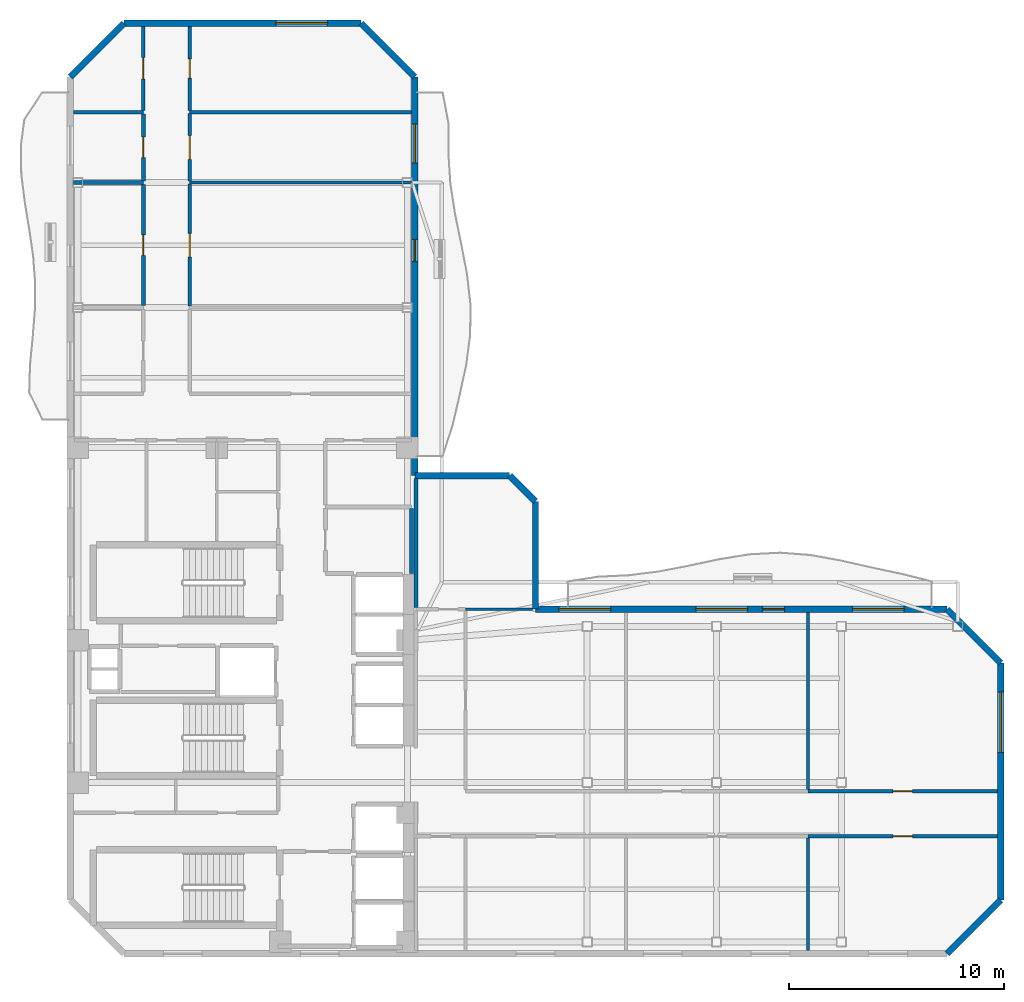
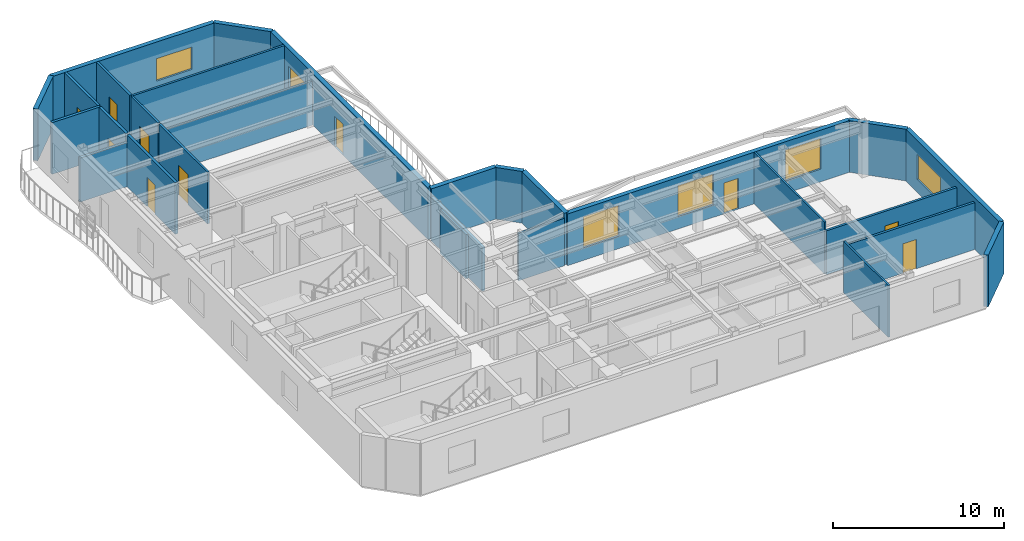
# One storey, part 5 of 9: 28 walls, 10 doors, 6 windows, 16 openings.
"""IFC4 building model written with IfcOpenShell, lengths in metres."""

from ifc_helpers import new_model, si_unit, direction, frame, frame_2d, origin, place, context, subcontext, project, spatial, rectangle, extrude, material, layer, layer_set, type_object, element, fill, save


model = new_model("IFC4")

# Units and contexts
model_context = context("Model", 3, precision=1e-05, world=origin(), true_north=direction((0.0, 1.0)))
body_context = subcontext(model_context, "Body", "Model", "MODEL_VIEW")
ifc_project = project(units=[si_unit("LENGTHUNIT", "METRE"), si_unit("AREAUNIT", "SQUARE_METRE"), si_unit("VOLUMEUNIT", "CUBIC_METRE"), si_unit("PLANEANGLEUNIT", "RADIAN"), si_unit("MASSUNIT", "GRAM", prefix="KILO")], contexts=[model_context])

# Site, building, storey
site_placement = place(None, origin())
site = spatial("IfcSite", under=ifc_project, at=site_placement, CompositionType="ELEMENT")
building_placement = place(site_placement, origin())
building = spatial("IfcBuilding", under=site, at=building_placement, Name="Mawjaban Terraces University", CompositionType="ELEMENT")
storey_placement = place(building_placement, frame((0.0, 0.0, 222.60009765625)))
storey = spatial("IfcBuildingStorey", under=building, at=storey_placement, Name="L54", CompositionType="ELEMENT", Elevation=222.60009765625)

# Walls
ifc_material_1 = material(Name="Acoustic masonry blockwork", Category="masonry")
ifc_layer_1 = layer(ifc_material_1, 0.179931640625)
ifc_layer_set_1 = layer_set([ifc_layer_1], Name="Acoustic masonry blockwork")
wall_type_1 = type_object("IfcWallType", Name="AcousticStudioWall_180", PredefinedType="PARTITIONING", material=ifc_layer_set_1)
wall_1_placement = place(storey_placement, frame((25.39990234375, 35.800048828125, 0.0), z_axis=(0.0, 0.0, 1.0), x_axis=(-1.0, 0.0, 0.0)))
element("IfcWall", 1, at=wall_1_placement, inside=storey, type_object=wall_type_1, Name="L54 Media Workshop 10 Partition 5", PredefinedType="PARTITIONING", context=body_context, shape_type="SweptSolid", body=[
    extrude(rectangle(XDim=3.2548828125, YDim=0.179931640625, at=frame_2d((1.62744140625, 0.0))), origin(), (0.0, 0.0, 1.0), 3.138916015625),
])
wall_2_placement = place(storey_placement, frame((25.39990234375, 39.070068359375, 0.0), z_axis=(0.0, 0.0, 1.0), x_axis=(-1.0, 0.0, 0.0)))
element("IfcWall", 2, at=wall_2_placement, inside=storey, type_object=wall_type_1, Name="L54 Design Studio 12 Partition 6", PredefinedType="PARTITIONING", context=body_context, shape_type="SweptSolid", body=[
    extrude(rectangle(XDim=3.2548828125, YDim=0.179931640625, at=frame_2d((1.62744140625, 0.0))), origin(), (0.0, 0.0, 1.0), 3.68994140625),
])

# Wall, opening, door
wall_3_placement = place(storey_placement, frame((25.39990234375, 35.715087890625, 0.0), z_axis=(0.0, 0.0, 1.0), x_axis=(0.0, -1.0, 0.0)))
wall_3 = element("IfcWall", 3, at=wall_3_placement, inside=storey, type_object=wall_type_1, Name="L54 West Shifted Academic Corridor Partition 33", PredefinedType="PARTITIONING", context=body_context, shape_type="SweptSolid", body=[
    extrude(rectangle(XDim=5.630126953125, YDim=0.179931640625, at=frame_2d((2.81494140625, 0.0))), origin(), (0.0, 0.0, 1.0), 3.68994140625),
])
opening_1_placement = place(wall_3_placement, frame((2.340087890625, 0.0, 0.0)))
opening_1 = element("IfcOpeningElement", 4, at=opening_1_placement, cuts=wall_3, Name="Opening ID-095", PredefinedType="OPENING", context=body_context, shape_type="SweptSolid", body=[
    extrude(rectangle(XDim=0.949951171875, YDim=2.10009765625, at=frame_2d((0.47509765625, 1.050048828125))), frame((0.0, 0.099853515625, 0.0), z_axis=(0.0, -1.0, 0.0), x_axis=(1.0, 0.0, 0.0)), (0.0, 0.0, 1.0), 0.199951171875),
])
ifc_material_2 = material(Name="Powder-coated steel frame and solid acoustic timber leaf", Category="steel")
door_type_1 = type_object("IfcDoorType", Name="StudioDoor_950x2100", OperationType="NOTDEFINED", PredefinedType="DOOR", material=ifc_material_2)
door_1_placement = place(opening_1_placement, origin())
door_1 = element("IfcDoor", 5, at=door_1_placement, inside=storey, type_object=door_type_1, Name="L54 Media Workshop 10 Door", OperationType="SINGLE_SWING_LEFT", OverallHeight=2.10009765625, OverallWidth=0.949951171875, PredefinedType="DOOR", context=body_context, shape_type="SweptSolid", body=[
    extrude(rectangle(XDim=0.949951171875, YDim=2.10009765625, at=frame_2d((0.47509765625, 1.050048828125))), frame((0.0, 0.02490234375, 0.0), z_axis=(0.0, -1.0, 0.0), x_axis=(1.0, 0.0, 0.0)), (0.0, 0.0, 1.0), 0.050048828125),
])
fill(opening_1, door_1)

wall_4_placement = place(storey_placement, frame((25.39990234375, 38.985107421875, 0.0), z_axis=(0.0, 0.0, 1.0), x_axis=(0.0, -1.0, 0.0)))
wall_4 = element("IfcWall", 6, at=wall_4_placement, inside=storey, type_object=wall_type_1, Name="L54 West Shifted Academic Corridor Partition 34", PredefinedType="PARTITIONING", context=body_context, shape_type="SweptSolid", body=[
    extrude(rectangle(XDim=3.10009765625, YDim=0.179931640625, at=frame_2d((1.550048828125, 0.0))), origin(), (0.0, 0.0, 1.0), 3.68994140625),
])
opening_2_placement = place(wall_4_placement, frame((1.074951171875, 0.0, 0.0)))
opening_2 = element("IfcOpeningElement", 7, at=opening_2_placement, cuts=wall_4, Name="Opening ID-095", PredefinedType="OPENING", context=body_context, shape_type="SweptSolid", body=[
    extrude(rectangle(XDim=0.949951171875, YDim=2.10009765625, at=frame_2d((0.47509765625, 1.050048828125))), frame((0.0, 0.099853515625, 0.0), z_axis=(0.0, -1.0, 0.0), x_axis=(1.0, 0.0, 0.0)), (0.0, 0.0, 1.0), 0.199951171875),
])
door_2_placement = place(opening_2_placement, origin())
door_2 = element("IfcDoor", 8, at=door_2_placement, inside=storey, type_object=door_type_1, Name="L54 Design Studio 12 Door", OperationType="SINGLE_SWING_LEFT", OverallHeight=2.10009765625, OverallWidth=0.949951171875, PredefinedType="DOOR", context=body_context, shape_type="SweptSolid", body=[
    extrude(rectangle(XDim=0.949951171875, YDim=2.10009765625, at=frame_2d((0.47509765625, 1.050048828125))), frame((0.0, 0.02490234375, 0.0), z_axis=(0.0, -1.0, 0.0), x_axis=(1.0, 0.0, 0.0)), (0.0, 0.0, 1.0), 0.050048828125),
])
fill(opening_2, door_2)

# Walls
wall_5_placement = place(storey_placement, frame((37.85009765625, 17.64990234375, 0.0), z_axis=(0.0, 0.0, 1.0), x_axis=(0.0, 1.0, 0.0)))
element("IfcWall", 9, at=wall_5_placement, inside=storey, type_object=wall_type_1, Name="L54 Graduate Research Collaboration Studio Partition 49", PredefinedType="PARTITIONING", context=body_context, shape_type="SweptSolid", body=[
    extrude(rectangle(XDim=3.01513671875, YDim=0.179931640625, at=frame_2d((1.507568359375, 0.0))), origin(), (0.0, 0.0, 1.0), 3.138916015625),
])
wall_6_placement = place(storey_placement, frame((38.050048828125, 22.054931640625, 0.0), z_axis=(0.0, 0.0, 1.0), x_axis=(0.0, -1.0, 0.0)))
element("IfcWall", 10, at=wall_6_placement, inside=storey, type_object=wall_type_1, Name="L54 Terrace Collaborative Study Room Partition 53", PredefinedType="PARTITIONING", context=body_context, shape_type="SweptSolid", body=[
    extrude(rectangle(XDim=5.97998046875, YDim=0.179931640625, at=frame_2d((2.989990234375, 0.0))), origin(), (0.0, 0.0, 1.0), 3.138916015625),
])

# Wall, opening, door
ifc_material_3 = material(Name="Fire-rated gypsum board on steel stud", Category="steel")
ifc_layer_2 = layer(ifc_material_3, 0.159912109375)
ifc_layer_set_2 = layer_set([ifc_layer_2], Name="Fire-rated gypsum board on steel stud")
wall_type_2 = type_object("IfcWallType", Name="CorridorPartition_160", PredefinedType="PARTITIONING", material=ifc_layer_set_2)
wall_7_placement = place(storey_placement, frame((56.25, 5.449951171875, 0.0), z_axis=(0.0, 0.0, 1.0), x_axis=(1.0, 0.0, 0.0)))
wall_7 = element("IfcWall", 11, at=wall_7_placement, inside=storey, type_object=wall_type_2, Name="L54 South Shifted Academic Corridor Partition 28", PredefinedType="PARTITIONING", context=body_context, shape_type="SweptSolid", body=[
    extrude(rectangle(XDim=8.804931640625, YDim=0.159912109375, at=frame_2d((4.40234375, 0.0))), origin(), (0.0, 0.0, 1.0), 3.343017578125),
])
opening_3_placement = place(wall_7_placement, frame((3.952880859375, 0.0, 0.0)))
opening_3 = element("IfcOpeningElement", 12, at=opening_3_placement, cuts=wall_7, Name="Opening ID-090", PredefinedType="OPENING", context=body_context, shape_type="SweptSolid", body=[
    extrude(rectangle(XDim=0.89990234375, YDim=2.10009765625, at=frame_2d((0.449951171875, 1.050048828125))), frame((0.0, 0.08984375, 0.0), z_axis=(0.0, -1.0, 0.0), x_axis=(1.0, 0.0, 0.0)), (0.0, 0.0, 1.0), 0.179931640625),
])
door_type_2 = type_object("IfcDoorType", Name="OfficeDoor_900x2100", OperationType="NOTDEFINED", PredefinedType="DOOR", material=ifc_material_2)
door_3_placement = place(opening_3_placement, origin())
door_3 = element("IfcDoor", 13, at=door_3_placement, inside=storey, type_object=door_type_2, Name="L54 Departmental Office 6 Door", OperationType="SINGLE_SWING_LEFT", OverallHeight=2.10009765625, OverallWidth=0.89990234375, PredefinedType="DOOR", context=body_context, shape_type="SweptSolid", body=[
    extrude(rectangle(XDim=0.89990234375, YDim=2.10009765625, at=frame_2d((0.449951171875, 1.050048828125))), frame((0.0, 0.02490234375, 0.0), z_axis=(0.0, -1.0, 0.0), x_axis=(1.0, 0.0, 0.0)), (0.0, 0.0, 1.0), 0.050048828125),
])
fill(opening_3, door_3)

wall_8_placement = place(storey_placement, frame((65.054931640625, 7.550048828125, 0.0), z_axis=(0.0, 0.0, 1.0), x_axis=(-1.0, 0.0, 0.0)))
wall_8 = element("IfcWall", 14, at=wall_8_placement, inside=storey, type_object=wall_type_2, Name="L54 South Shifted Academic Corridor Partition 30", PredefinedType="PARTITIONING", context=body_context, shape_type="SweptSolid", body=[
    extrude(rectangle(XDim=8.804931640625, YDim=0.159912109375, at=frame_2d((4.40234375, 0.0))), origin(), (0.0, 0.0, 1.0), 3.138916015625),
])
opening_4_placement = place(wall_8_placement, frame((3.952880859375, 0.0, 0.0)))
opening_4 = element("IfcOpeningElement", 15, at=opening_4_placement, cuts=wall_8, Name="Opening ID-090", PredefinedType="OPENING", context=body_context, shape_type="SweptSolid", body=[
    extrude(rectangle(XDim=0.89990234375, YDim=2.10009765625, at=frame_2d((0.449951171875, 1.050048828125))), frame((0.0, 0.08984375, 0.0), z_axis=(0.0, -1.0, 0.0), x_axis=(1.0, 0.0, 0.0)), (0.0, 0.0, 1.0), 0.179931640625),
])
door_4_placement = place(opening_4_placement, origin())
door_4 = element("IfcDoor", 16, at=door_4_placement, inside=storey, type_object=door_type_2, Name="L54 Faculty Office 7 Door", OperationType="SINGLE_SWING_RIGHT", OverallHeight=2.10009765625, OverallWidth=0.89990234375, PredefinedType="DOOR", context=body_context, shape_type="SweptSolid", body=[
    extrude(rectangle(XDim=0.89990234375, YDim=2.10009765625, at=frame_2d((0.449951171875, 1.050048828125))), frame((0.0, 0.02490234375, 0.0), z_axis=(0.0, -1.0, 0.0), x_axis=(1.0, 0.0, 0.0)), (0.0, 0.0, 1.0), 0.050048828125),
])
fill(opening_4, door_4)

wall_9_placement = place(storey_placement, frame((25.39990234375, 43.054931640625, 0.0), z_axis=(0.0, 0.0, 1.0), x_axis=(0.0, -1.0, 0.0)))
wall_9 = element("IfcWall", 17, at=wall_9_placement, inside=storey, type_object=wall_type_2, Name="L54 West Shifted Academic Corridor Partition 35", PredefinedType="PARTITIONING", context=body_context, shape_type="SweptSolid", body=[
    extrude(rectangle(XDim=3.89990234375, YDim=0.159912109375, at=frame_2d((1.949951171875, 0.0))), origin(), (0.0, 0.0, 1.0), 3.68994140625),
])
opening_5_placement = place(wall_9_placement, frame((1.449951171875, 0.0, 0.0)))
opening_5 = element("IfcOpeningElement", 18, at=opening_5_placement, cuts=wall_9, Name="Opening ID-100", PredefinedType="OPENING", context=body_context, shape_type="SweptSolid", body=[
    extrude(rectangle(XDim=1.0, YDim=2.10009765625, at=frame_2d((0.5, 1.050048828125))), frame((0.0, 0.08984375, 0.0), z_axis=(0.0, -1.0, 0.0), x_axis=(1.0, 0.0, 0.0)), (0.0, 0.0, 1.0), 0.179931640625),
])
door_type_3 = type_object("IfcDoorType", Name="ClassroomDoor_1000x2100", OperationType="NOTDEFINED", PredefinedType="DOOR", material=ifc_material_2)
door_5_placement = place(opening_5_placement, origin())
door_5 = element("IfcDoor", 19, at=door_5_placement, inside=storey, type_object=door_type_3, Name="L54 Classroom 14 Door", OperationType="SINGLE_SWING_LEFT", OverallHeight=2.10009765625, OverallWidth=1.0, PredefinedType="DOOR", context=body_context, shape_type="SweptSolid", body=[
    extrude(rectangle(XDim=1.0, YDim=2.10009765625, at=frame_2d((0.5, 1.050048828125))), frame((0.0, 0.02490234375, 0.0), z_axis=(0.0, -1.0, 0.0), x_axis=(1.0, 0.0, 0.0)), (0.0, 0.0, 1.0), 0.050048828125),
])
fill(opening_5, door_5)

wall_10_placement = place(storey_placement, frame((27.550048828125, 39.137939453125, 0.0), z_axis=(0.0, 0.0, 1.0), x_axis=(0.0, 1.0, 0.0)))
wall_10 = element("IfcWall", 20, at=wall_10_placement, inside=storey, type_object=wall_type_2, Name="L54 West Shifted Academic Corridor Partition 41", PredefinedType="PARTITIONING", context=body_context, shape_type="SweptSolid", body=[
    extrude(rectangle(XDim=3.9169921875, YDim=0.159912109375, at=frame_2d((1.95849609375, 0.0))), origin(), (0.0, 0.0, 1.0), 3.68994140625),
])
opening_6_placement = place(wall_10_placement, frame((1.509033203125, 0.0, 0.0)))
opening_6 = element("IfcOpeningElement", 21, at=opening_6_placement, cuts=wall_10, Name="Opening ID-090", PredefinedType="OPENING", context=body_context, shape_type="SweptSolid", body=[
    extrude(rectangle(XDim=0.89990234375, YDim=2.10009765625, at=frame_2d((0.449951171875, 1.050048828125))), frame((0.0, 0.08984375, 0.0), z_axis=(0.0, -1.0, 0.0), x_axis=(1.0, 0.0, 0.0)), (0.0, 0.0, 1.0), 0.179931640625),
])
door_6_placement = place(opening_6_placement, origin())
door_6 = element("IfcDoor", 22, at=door_6_placement, inside=storey, type_object=door_type_2, Name="L54 Academic Counseling Room 15 Door", OperationType="SINGLE_SWING_RIGHT", OverallHeight=2.10009765625, OverallWidth=0.89990234375, PredefinedType="DOOR", context=body_context, shape_type="SweptSolid", body=[
    extrude(rectangle(XDim=0.89990234375, YDim=2.10009765625, at=frame_2d((0.449951171875, 1.050048828125))), frame((0.0, 0.02490234375, 0.0), z_axis=(0.0, -1.0, 0.0), x_axis=(1.0, 0.0, 0.0)), (0.0, 0.0, 1.0), 0.050048828125),
])
fill(opening_6, door_6)

# Wall
ifc_material_4 = material(Name="Insulated terracotta rainscreen on concrete backup C40/50", Category="masonry")
ifc_layer_3 = layer(ifc_material_4, 0.300048828125)
ifc_layer_set_3 = layer_set([ifc_layer_3], Name="Insulated terracotta rainscreen on concrete backup C40/50")
wall_type_3 = type_object("IfcWallType", Name="ExtTerracottaWall_300", PredefinedType="SOLIDWALL", material=ifc_layer_set_3)
wall_11_placement = place(storey_placement, frame((62.699951171875, 0.0, 0.0), z_axis=(0.0, 0.0, 1.0), x_axis=(0.707106781187, 0.707106781187, 0.0)))
element("IfcWall", 23, at=wall_11_placement, inside=storey, type_object=wall_type_3, Name="L54 Exterior Terracotta Wall 2", PredefinedType="SOLIDWALL", context=body_context, shape_type="SweptSolid", body=[
    extrude(rectangle(XDim=3.53564453125, YDim=0.300048828125, at=frame_2d((1.767822265625, 0.0))), origin(), (0.0, 0.0, 1.0), 3.68994140625),
])

# Wall, opening, window
wall_12_placement = place(storey_placement, frame((65.199951171875, 2.5, 0.0), z_axis=(0.0, 0.0, 1.0), x_axis=(0.0, 1.0, 0.0)))
wall_12 = element("IfcWall", 24, at=wall_12_placement, inside=storey, type_object=wall_type_3, Name="L54 Exterior Terracotta Wall 3", PredefinedType="SOLIDWALL", context=body_context, shape_type="SweptSolid", body=[
    extrude(rectangle(XDim=11.0, YDim=0.300048828125, at=frame_2d((5.5, 0.0))), origin(), (0.0, 0.0, 1.0), 3.68994140625),
])
opening_7_placement = place(wall_12_placement, frame((6.85009765625, 0.0, 0.89990234375)))
opening_7 = element("IfcOpeningElement", 25, at=opening_7_placement, cuts=wall_12, Name="Opening W-09", PredefinedType="OPENING", context=body_context, shape_type="SweptSolid", body=[
    extrude(rectangle(XDim=2.800048828125, YDim=1.800048828125, at=frame_2d((1.39990234375, 0.89990234375))), frame((0.0, 0.159912109375, 0.0), z_axis=(0.0, -1.0, 0.0), x_axis=(1.0, 0.0, 0.0)), (0.0, 0.0, 1.0), 0.320068359375),
])
ifc_material_5 = material(Name="Low-E solar-control double glazing in thermally broken aluminium frame", Category="aluminium")
window_type_1 = type_object("IfcWindowType", Name="Win_2800x1800", PartitioningType="SINGLE_PANEL", PredefinedType="WINDOW", material=ifc_material_5)
window_1_placement = place(opening_7_placement, origin())
window_1 = element("IfcWindow", 26, at=window_1_placement, inside=storey, type_object=window_type_1, Name="L54 Facade Window 3.2", OverallHeight=1.800048828125, OverallWidth=2.800048828125, PartitioningType="SINGLE_PANEL", PredefinedType="WINDOW", context=body_context, shape_type="SweptSolid", body=[
    extrude(rectangle(XDim=2.800048828125, YDim=1.800048828125, at=frame_2d((1.39990234375, 0.89990234375))), frame((0.0, 0.030029296875, 0.0), z_axis=(0.0, -1.0, 0.0), x_axis=(1.0, 0.0, 0.0)), (0.0, 0.0, 1.0), 0.06005859375),
])
fill(opening_7, window_1)

# Wall
wall_13_placement = place(storey_placement, frame((65.199951171875, 13.5, 0.0), z_axis=(0.0, 0.0, 1.0), x_axis=(-0.707106781187, 0.707106781187, 0.0)))
element("IfcWall", 27, at=wall_13_placement, inside=storey, type_object=wall_type_3, Name="L54 Exterior Terracotta Wall 4", PredefinedType="SOLIDWALL", context=body_context, shape_type="SweptSolid", body=[
    extrude(rectangle(XDim=3.53564453125, YDim=0.300048828125, at=frame_2d((1.767822265625, 0.0))), origin(), (0.0, 0.0, 1.0), 3.68994140625),
])

# Wall, openings, door, windows
wall_14_placement = place(storey_placement, frame((62.699951171875, 16.0, 0.0), z_axis=(0.0, 0.0, 1.0), x_axis=(-1.0, 0.0, 0.0)))
wall_14 = element("IfcWall", 28, at=wall_14_placement, inside=storey, type_object=wall_type_3, Name="L54 Exterior Terracotta Wall 5", PredefinedType="SOLIDWALL", context=body_context, shape_type="SweptSolid", body=[
    extrude(rectangle(XDim=19.099853515625, YDim=0.300048828125, at=frame_2d((9.5498046875, 0.0))), origin(), (0.0, 0.0, 1.0), 3.68994140625),
])
opening_8_placement = place(wall_14_placement, frame((7.550048828125, 0.0, 0.0)))
opening_8 = element("IfcOpeningElement", 29, at=opening_8_placement, cuts=wall_14, Name="Opening BD-100", PredefinedType="OPENING", context=body_context, shape_type="SweptSolid", body=[
    extrude(rectangle(XDim=1.0, YDim=2.199951171875, at=frame_2d((0.5, 1.10009765625))), frame((0.0, 0.159912109375, 0.0), z_axis=(0.0, -1.0, 0.0), x_axis=(1.0, 0.0, 0.0)), (0.0, 0.0, 1.0), 0.320068359375),
])
opening_9_placement = place(wall_14_placement, frame((1.98291015625, 0.0, 0.89990234375)))
opening_9 = element("IfcOpeningElement", 30, at=opening_9_placement, cuts=wall_14, Name="Opening W-11", PredefinedType="OPENING", context=body_context, shape_type="SweptSolid", body=[
    extrude(rectangle(XDim=2.39990234375, YDim=2.199951171875, at=frame_2d((1.199951171875, 1.10009765625))), frame((0.0, 0.159912109375, 0.0), z_axis=(0.0, -1.0, 0.0), x_axis=(1.0, 0.0, 0.0)), (0.0, 0.0, 1.0), 0.320068359375),
])
opening_10_placement = place(wall_14_placement, frame((9.25, 0.0, 0.89990234375)))
opening_10 = element("IfcOpeningElement", 31, at=opening_10_placement, cuts=wall_14, Name="Opening W-11", PredefinedType="OPENING", context=body_context, shape_type="SweptSolid", body=[
    extrude(rectangle(XDim=2.39990234375, YDim=2.199951171875, at=frame_2d((1.199951171875, 1.10009765625))), frame((0.0, 0.159912109375, 0.0), z_axis=(0.0, -1.0, 0.0), x_axis=(1.0, 0.0, 0.0)), (0.0, 0.0, 1.0), 0.320068359375),
])
opening_11_placement = place(wall_14_placement, frame((15.616943359375, 0.0, 0.89990234375)))
opening_11 = element("IfcOpeningElement", 32, at=opening_11_placement, cuts=wall_14, Name="Opening W-11", PredefinedType="OPENING", context=body_context, shape_type="SweptSolid", body=[
    extrude(rectangle(XDim=2.39990234375, YDim=2.199951171875, at=frame_2d((1.199951171875, 1.10009765625))), frame((0.0, 0.159912109375, 0.0), z_axis=(0.0, -1.0, 0.0), x_axis=(1.0, 0.0, 0.0)), (0.0, 0.0, 1.0), 0.320068359375),
])
ifc_material_6 = material(Name="Thermally broken anodised aluminium and laminated safety glass", Category="aluminium")
door_type_4 = type_object("IfcDoorType", Name="BalconyGlazedDoor_1000x2200", OperationType="NOTDEFINED", PredefinedType="DOOR", material=ifc_material_6)
door_7_placement = place(opening_8_placement, origin())
door_7 = element("IfcDoor", 33, at=door_7_placement, inside=storey, type_object=door_type_4, Name="L54 Balcony Access Door inner_north", OperationType="SINGLE_SWING_LEFT", OverallHeight=2.199951171875, OverallWidth=1.0, PredefinedType="DOOR", context=body_context, shape_type="SweptSolid", body=[
    extrude(rectangle(XDim=1.0, YDim=2.199951171875, at=frame_2d((0.5, 1.10009765625))), frame((0.0, 0.02490234375, 0.0), z_axis=(0.0, -1.0, 0.0), x_axis=(1.0, 0.0, 0.0)), (0.0, 0.0, 1.0), 0.050048828125),
])
fill(opening_8, door_7)
window_type_2 = type_object("IfcWindowType", Name="Win_2400x2200", PartitioningType="SINGLE_PANEL", PredefinedType="WINDOW", material=ifc_material_5)
window_2_placement = place(opening_9_placement, origin())
window_2 = element("IfcWindow", 34, at=window_2_placement, inside=storey, type_object=window_type_2, Name="L54 Facade Window 5.1", OverallHeight=2.199951171875, OverallWidth=2.39990234375, PartitioningType="SINGLE_PANEL", PredefinedType="WINDOW", context=body_context, shape_type="SweptSolid", body=[
    extrude(rectangle(XDim=2.39990234375, YDim=2.199951171875, at=frame_2d((1.199951171875, 1.10009765625))), frame((0.0, 0.030029296875, 0.0), z_axis=(0.0, -1.0, 0.0), x_axis=(1.0, 0.0, 0.0)), (0.0, 0.0, 1.0), 0.06005859375),
])
fill(opening_9, window_2)
window_3_placement = place(opening_10_placement, origin())
window_3 = element("IfcWindow", 35, at=window_3_placement, inside=storey, type_object=window_type_2, Name="L54 Facade Window 5.2", OverallHeight=2.199951171875, OverallWidth=2.39990234375, PartitioningType="SINGLE_PANEL", PredefinedType="WINDOW", context=body_context, shape_type="SweptSolid", body=[
    extrude(rectangle(XDim=2.39990234375, YDim=2.199951171875, at=frame_2d((1.199951171875, 1.10009765625))), frame((0.0, 0.030029296875, 0.0), z_axis=(0.0, -1.0, 0.0), x_axis=(1.0, 0.0, 0.0)), (0.0, 0.0, 1.0), 0.06005859375),
])
fill(opening_10, window_3)
window_4_placement = place(opening_11_placement, origin())
window_4 = element("IfcWindow", 36, at=window_4_placement, inside=storey, type_object=window_type_2, Name="L54 Facade Window 5.3", OverallHeight=2.199951171875, OverallWidth=2.39990234375, PartitioningType="SINGLE_PANEL", PredefinedType="WINDOW", context=body_context, shape_type="SweptSolid", body=[
    extrude(rectangle(XDim=2.39990234375, YDim=2.199951171875, at=frame_2d((1.199951171875, 1.10009765625))), frame((0.0, 0.030029296875, 0.0), z_axis=(0.0, -1.0, 0.0), x_axis=(1.0, 0.0, 0.0)), (0.0, 0.0, 1.0), 0.06005859375),
])
fill(opening_11, window_4)

# Walls
wall_15_placement = place(storey_placement, frame((43.60009765625, 16.0, 0.0), z_axis=(0.0, 0.0, 1.0), x_axis=(0.0, 1.0, 0.0)))
element("IfcWall", 37, at=wall_15_placement, inside=storey, type_object=wall_type_3, Name="L54 Exterior Terracotta Wall 6", PredefinedType="SOLIDWALL", context=body_context, shape_type="SweptSolid", body=[
    extrude(rectangle(XDim=5.0, YDim=0.300048828125, at=frame_2d((2.5, 0.0))), origin(), (0.0, 0.0, 1.0), 3.68994140625),
])
wall_16_placement = place(storey_placement, frame((43.60009765625, 21.0, 0.0), z_axis=(0.0, 0.0, 1.0), x_axis=(-0.707178703759, 0.707034851297, 0.0)))
element("IfcWall", 38, at=wall_16_placement, inside=storey, type_object=wall_type_3, Name="L54 Exterior Terracotta Wall 7", PredefinedType="SOLIDWALL", context=body_context, shape_type="SweptSolid", body=[
    extrude(rectangle(XDim=1.697265625, YDim=0.300048828125, at=frame_2d((0.8486328125, 0.0))), origin(), (0.0, 0.0, 1.0), 3.68994140625),
])
wall_17_placement = place(storey_placement, frame((42.39990234375, 22.199951171875, 0.0), z_axis=(0.0, 0.0, 1.0), x_axis=(-1.0, 0.0, 0.0)))
element("IfcWall", 39, at=wall_17_placement, inside=storey, type_object=wall_type_3, Name="L54 Exterior Terracotta Wall 8", PredefinedType="SOLIDWALL", context=body_context, shape_type="SweptSolid", body=[
    extrude(rectangle(XDim=4.39990234375, YDim=0.300048828125, at=frame_2d((2.199951171875, 0.0))), origin(), (0.0, 0.0, 1.0), 3.68994140625),
])

# Wall, openings, door, window
wall_18_placement = place(storey_placement, frame((38.0, 22.199951171875, 0.0), z_axis=(0.0, 0.0, 1.0), x_axis=(0.0, 1.0, 0.0)))
wall_18 = element("IfcWall", 40, at=wall_18_placement, inside=storey, type_object=wall_type_3, Name="L54 Exterior Terracotta Wall 9", PredefinedType="SOLIDWALL", context=body_context, shape_type="SweptSolid", body=[
    extrude(rectangle(XDim=18.5, YDim=0.300048828125, at=frame_2d((9.25, 0.0))), origin(), (0.0, 0.0, 1.0), 3.68994140625),
])
opening_12_placement = place(wall_18_placement, frame((9.949951171875, 0.0, 0.0)))
opening_12 = element("IfcOpeningElement", 41, at=opening_12_placement, cuts=wall_18, Name="Opening BD-100", PredefinedType="OPENING", context=body_context, shape_type="SweptSolid", body=[
    extrude(rectangle(XDim=1.0, YDim=2.199951171875, at=frame_2d((0.5, 1.10009765625))), frame((0.0, 0.159912109375, 0.0), z_axis=(0.0, -1.0, 0.0), x_axis=(1.0, 0.0, 0.0)), (0.0, 0.0, 1.0), 0.320068359375),
])
opening_13_placement = place(wall_18_placement, frame((14.51708984375, 0.0, 0.89990234375)))
opening_13 = element("IfcOpeningElement", 42, at=opening_13_placement, cuts=wall_18, Name="Opening W-03", PredefinedType="OPENING", context=body_context, shape_type="SweptSolid", body=[
    extrude(rectangle(XDim=1.800048828125, YDim=1.60009765625, at=frame_2d((0.89990234375, 0.800048828125))), frame((0.0, 0.159912109375, 0.0), z_axis=(0.0, -1.0, 0.0), x_axis=(1.0, 0.0, 0.0)), (0.0, 0.0, 1.0), 0.320068359375),
])
door_8_placement = place(opening_12_placement, origin())
door_8 = element("IfcDoor", 43, at=door_8_placement, inside=storey, type_object=door_type_4, Name="L54 Balcony Access Door inner_east", OperationType="SINGLE_SWING_LEFT", OverallHeight=2.199951171875, OverallWidth=1.0, PredefinedType="DOOR", context=body_context, shape_type="SweptSolid", body=[
    extrude(rectangle(XDim=1.0, YDim=2.199951171875, at=frame_2d((0.5, 1.10009765625))), frame((0.0, 0.02490234375, 0.0), z_axis=(0.0, -1.0, 0.0), x_axis=(1.0, 0.0, 0.0)), (0.0, 0.0, 1.0), 0.050048828125),
])
fill(opening_12, door_8)
window_type_3 = type_object("IfcWindowType", Name="Win_1800x1600", PartitioningType="SINGLE_PANEL", PredefinedType="WINDOW", material=ifc_material_5)
window_5_placement = place(opening_13_placement, origin())
window_5 = element("IfcWindow", 44, at=window_5_placement, inside=storey, type_object=window_type_3, Name="L54 Facade Window 9.3", OverallHeight=1.60009765625, OverallWidth=1.800048828125, PartitioningType="SINGLE_PANEL", PredefinedType="WINDOW", context=body_context, shape_type="SweptSolid", body=[
    extrude(rectangle(XDim=1.800048828125, YDim=1.60009765625, at=frame_2d((0.89990234375, 0.800048828125))), frame((0.0, 0.030029296875, 0.0), z_axis=(0.0, -1.0, 0.0), x_axis=(1.0, 0.0, 0.0)), (0.0, 0.0, 1.0), 0.06005859375),
])
fill(opening_13, window_5)

# Wall
wall_19_placement = place(storey_placement, frame((38.0, 40.699951171875, 0.0), z_axis=(0.0, 0.0, 1.0), x_axis=(-0.707106781187, 0.707106781187, 0.0)))
element("IfcWall", 45, at=wall_19_placement, inside=storey, type_object=wall_type_3, Name="L54 Exterior Terracotta Wall 10", PredefinedType="SOLIDWALL", context=body_context, shape_type="SweptSolid", body=[
    extrude(rectangle(XDim=3.53564453125, YDim=0.300048828125, at=frame_2d((1.767822265625, 0.0))), origin(), (0.0, 0.0, 1.0), 3.68994140625),
])

# Wall, opening, window
wall_20_placement = place(storey_placement, frame((35.5, 43.199951171875, 0.0), z_axis=(0.0, 0.0, 1.0), x_axis=(-1.0, 0.0, 0.0)))
wall_20 = element("IfcWall", 46, at=wall_20_placement, inside=storey, type_object=wall_type_3, Name="L54 Exterior Terracotta Wall 11", PredefinedType="SOLIDWALL", context=body_context, shape_type="SweptSolid", body=[
    extrude(rectangle(XDim=11.0, YDim=0.300048828125, at=frame_2d((5.5, 0.0))), origin(), (0.0, 0.0, 1.0), 3.68994140625),
])
opening_14_placement = place(wall_20_placement, frame((1.550048828125, 0.0, 0.89990234375)))
opening_14 = element("IfcOpeningElement", 47, at=opening_14_placement, cuts=wall_20, Name="Opening W-05", PredefinedType="OPENING", context=body_context, shape_type="SweptSolid", body=[
    extrude(rectangle(XDim=2.39990234375, YDim=1.60009765625, at=frame_2d((1.199951171875, 0.800048828125))), frame((0.0, 0.159912109375, 0.0), z_axis=(0.0, -1.0, 0.0), x_axis=(1.0, 0.0, 0.0)), (0.0, 0.0, 1.0), 0.320068359375),
])
window_type_4 = type_object("IfcWindowType", Name="Win_2400x1600", PartitioningType="SINGLE_PANEL", PredefinedType="WINDOW", material=ifc_material_5)
window_6_placement = place(opening_14_placement, origin())
window_6 = element("IfcWindow", 48, at=window_6_placement, inside=storey, type_object=window_type_4, Name="L54 Facade Window 11.1", OverallHeight=1.60009765625, OverallWidth=2.39990234375, PartitioningType="SINGLE_PANEL", PredefinedType="WINDOW", context=body_context, shape_type="SweptSolid", body=[
    extrude(rectangle(XDim=2.39990234375, YDim=1.60009765625, at=frame_2d((1.199951171875, 0.800048828125))), frame((0.0, 0.030029296875, 0.0), z_axis=(0.0, -1.0, 0.0), x_axis=(1.0, 0.0, 0.0)), (0.0, 0.0, 1.0), 0.06005859375),
])
fill(opening_14, window_6)

# Walls
wall_21_placement = place(storey_placement, frame((24.5, 43.199951171875, 0.0), z_axis=(0.0, 0.0, 1.0), x_axis=(-0.707106781187, -0.707106781187, 0.0)))
element("IfcWall", 49, at=wall_21_placement, inside=storey, type_object=wall_type_3, Name="L54 Exterior Terracotta Wall 12", PredefinedType="SOLIDWALL", context=body_context, shape_type="SweptSolid", body=[
    extrude(rectangle(XDim=3.53564453125, YDim=0.300048828125, at=frame_2d((1.767822265625, 0.0))), origin(), (0.0, 0.0, 1.0), 3.68994140625),
])
ifc_material_7 = material(Name="Moisture-resistant gypsum board on steel stud", Category="steel")
ifc_layer_4 = layer(ifc_material_7, 0.14501953125)
ifc_layer_set_4 = layer_set([ifc_layer_4], Name="Moisture-resistant gypsum board on steel stud")
wall_type_4 = type_object("IfcWallType", Name="LabPartition_145", PredefinedType="PARTITIONING", material=ifc_layer_set_4)
wall_22_placement = place(storey_placement, frame((37.85009765625, 35.800048828125, 0.0), z_axis=(0.0, 0.0, 1.0), x_axis=(-1.0, 0.0, 0.0)))
element("IfcWall", 50, at=wall_22_placement, inside=storey, type_object=wall_type_4, Name="L54 Teaching Laboratory 11 Partition 20", PredefinedType="PARTITIONING", context=body_context, shape_type="SweptSolid", body=[
    extrude(rectangle(XDim=10.300048828125, YDim=0.14501953125, at=frame_2d((5.14990234375, 0.0))), origin(), (0.0, 0.0, 1.0), 3.138916015625),
])
wall_23_placement = place(storey_placement, frame((37.85009765625, 39.070068359375, 0.0), z_axis=(0.0, 0.0, 1.0), x_axis=(-1.0, 0.0, 0.0)))
element("IfcWall", 51, at=wall_23_placement, inside=storey, type_object=wall_type_4, Name="L54 Computational Laboratory 13 Partition 21", PredefinedType="PARTITIONING", context=body_context, shape_type="SweptSolid", body=[
    extrude(rectangle(XDim=10.300048828125, YDim=0.14501953125, at=frame_2d((5.14990234375, 0.0))), origin(), (0.0, 0.0, 1.0), 3.68994140625),
])

# Wall, opening, door
wall_24_placement = place(storey_placement, frame((27.550048828125, 30.06689453125, 0.0), z_axis=(0.0, 0.0, 1.0), x_axis=(0.0, 1.0, 0.0)))
wall_24 = element("IfcWall", 52, at=wall_24_placement, inside=storey, type_object=wall_type_4, Name="L54 West Shifted Academic Corridor Partition 39", PredefinedType="PARTITIONING", context=body_context, shape_type="SweptSolid", body=[
    extrude(rectangle(XDim=5.6650390625, YDim=0.14501953125, at=frame_2d((2.83251953125, 0.0))), origin(), (0.0, 0.0, 1.0), 3.68994140625),
])
opening_15_placement = place(wall_24_placement, frame((2.281982421875, 0.0, 0.0)))
opening_15 = element("IfcOpeningElement", 53, at=opening_15_placement, cuts=wall_24, Name="Opening ID-110", PredefinedType="OPENING", context=body_context, shape_type="SweptSolid", body=[
    extrude(rectangle(XDim=1.10009765625, YDim=2.14990234375, at=frame_2d((0.550048828125, 1.074951171875))), frame((0.0, 0.08251953125, 0.0), z_axis=(0.0, -1.0, 0.0), x_axis=(1.0, 0.0, 0.0)), (0.0, 0.0, 1.0), 0.1650390625),
])
door_type_5 = type_object("IfcDoorType", Name="LabDoor_1100x2150", OperationType="NOTDEFINED", PredefinedType="DOOR", material=ifc_material_2)
door_9_placement = place(opening_15_placement, origin())
door_9 = element("IfcDoor", 54, at=door_9_placement, inside=storey, type_object=door_type_5, Name="L54 Teaching Laboratory 11 Door", OperationType="SINGLE_SWING_RIGHT", OverallHeight=2.14990234375, OverallWidth=1.10009765625, PredefinedType="DOOR", context=body_context, shape_type="SweptSolid", body=[
    extrude(rectangle(XDim=1.10009765625, YDim=2.14990234375, at=frame_2d((0.550048828125, 1.074951171875))), frame((0.0, 0.02490234375, 0.0), z_axis=(0.0, -1.0, 0.0), x_axis=(1.0, 0.0, 0.0)), (0.0, 0.0, 1.0), 0.050048828125),
])
fill(opening_15, door_9)

wall_25_placement = place(storey_placement, frame((27.550048828125, 35.866943359375, 0.0), z_axis=(0.0, 0.0, 1.0), x_axis=(0.0, 1.0, 0.0)))
wall_25 = element("IfcWall", 55, at=wall_25_placement, inside=storey, type_object=wall_type_4, Name="L54 West Shifted Academic Corridor Partition 40", PredefinedType="PARTITIONING", context=body_context, shape_type="SweptSolid", body=[
    extrude(rectangle(XDim=3.135009765625, YDim=0.14501953125, at=frame_2d((1.5673828125, 0.0))), origin(), (0.0, 0.0, 1.0), 3.68994140625),
])
opening_16_placement = place(wall_25_placement, frame((1.01806640625, 0.0, 0.0)))
opening_16 = element("IfcOpeningElement", 56, at=opening_16_placement, cuts=wall_25, Name="Opening ID-110", PredefinedType="OPENING", context=body_context, shape_type="SweptSolid", body=[
    extrude(rectangle(XDim=1.10009765625, YDim=2.14990234375, at=frame_2d((0.550048828125, 1.074951171875))), frame((0.0, 0.08251953125, 0.0), z_axis=(0.0, -1.0, 0.0), x_axis=(1.0, 0.0, 0.0)), (0.0, 0.0, 1.0), 0.1650390625),
])
door_10_placement = place(opening_16_placement, origin())
door_10 = element("IfcDoor", 57, at=door_10_placement, inside=storey, type_object=door_type_5, Name="L54 Computational Laboratory 13 Door", OperationType="SINGLE_SWING_RIGHT", OverallHeight=2.14990234375, OverallWidth=1.10009765625, PredefinedType="DOOR", context=body_context, shape_type="SweptSolid", body=[
    extrude(rectangle(XDim=1.10009765625, YDim=2.14990234375, at=frame_2d((0.550048828125, 1.074951171875))), frame((0.0, 0.02490234375, 0.0), z_axis=(0.0, -1.0, 0.0), x_axis=(1.0, 0.0, 0.0)), (0.0, 0.0, 1.0), 0.050048828125),
])
fill(opening_16, door_10)

# Walls
ifc_material_8 = material(Name="Gypsum plasterboard on steel stud", Category="steel")
ifc_layer_5 = layer(ifc_material_8, 0.125)
ifc_layer_set_5 = layer_set([ifc_layer_5], Name="Gypsum plasterboard on steel stud")
wall_type_5 = type_object("IfcWallType", Name="OfficePartition_125", PredefinedType="PARTITIONING", material=ifc_layer_set_5)
wall_26_placement = place(storey_placement, frame((40.35009765625, 16.0, 0.0), z_axis=(0.0, 0.0, 1.0), x_axis=(1.0, 0.0, 0.0)))
element("IfcWall", 58, at=wall_26_placement, inside=storey, type_object=wall_type_5, Name="L54 Terrace Collaborative Study Room Partition 25", PredefinedType="PARTITIONING", context=body_context, shape_type="SweptSolid", body=[
    extrude(rectangle(XDim=3.10498046875, YDim=0.125, at=frame_2d((1.552490234375, 0.0))), origin(), (0.0, 0.0, 1.0), 3.389892578125),
])
wall_27_placement = place(storey_placement, frame((56.25, 0.14501953125, 0.0), z_axis=(0.0, 0.0, 1.0), x_axis=(0.0, 1.0, 0.0)))
element("IfcWall", 59, at=wall_27_placement, inside=storey, type_object=wall_type_5, Name="L54 Academic Counseling Room 4 Partition 58", PredefinedType="PARTITIONING", context=body_context, shape_type="SweptSolid", body=[
    extrude(rectangle(XDim=5.22998046875, YDim=0.125, at=frame_2d((2.614990234375, 0.0))), origin(), (0.0, 0.0, 1.0), 3.68994140625),
])
wall_28_placement = place(storey_placement, frame((56.25, 7.625, 0.0), z_axis=(0.0, 0.0, 1.0), x_axis=(0.0, 1.0, 0.0)))
element("IfcWall", 60, at=wall_28_placement, inside=storey, type_object=wall_type_5, Name="L54 Faculty Office 5 Partition 59", PredefinedType="PARTITIONING", context=body_context, shape_type="SweptSolid", body=[
    extrude(rectangle(XDim=8.22998046875, YDim=0.125, at=frame_2d((4.114990234375, 0.0))), origin(), (0.0, 0.0, 1.0), 3.68994140625),
])

save(model, "model.ifc")
